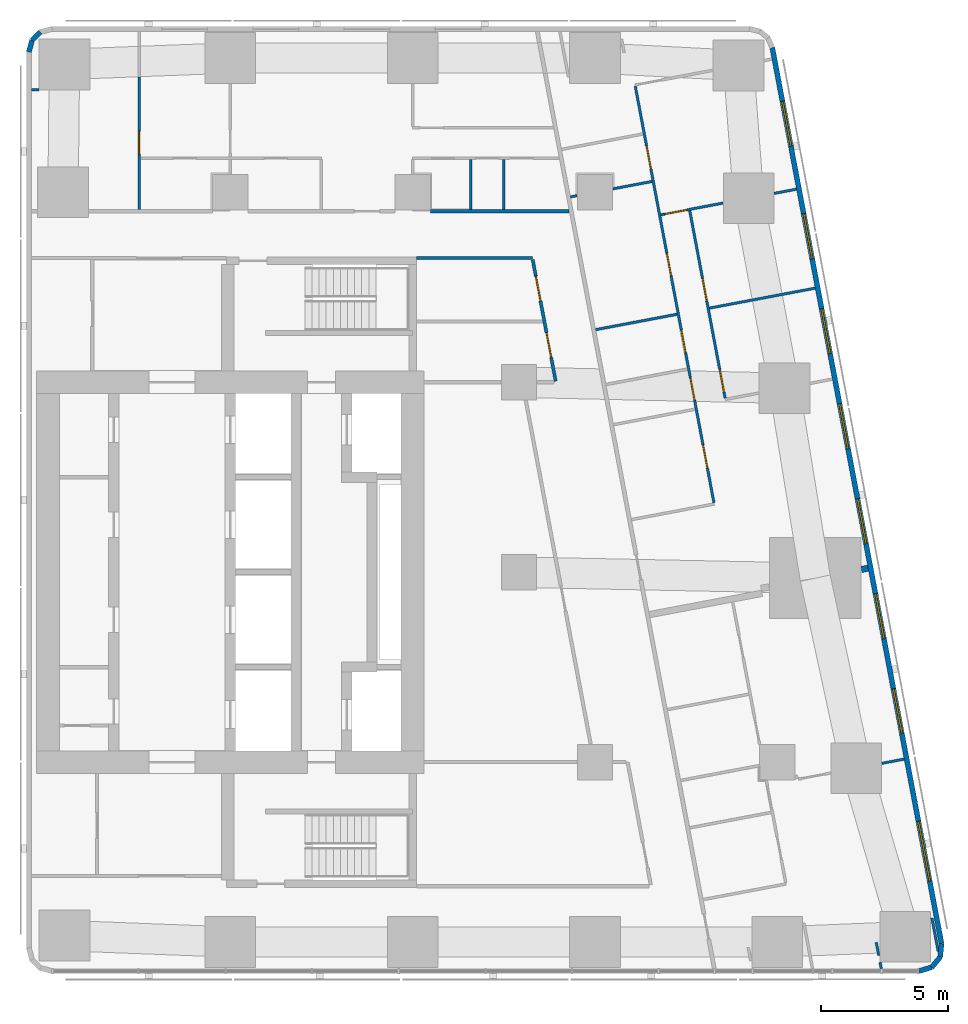
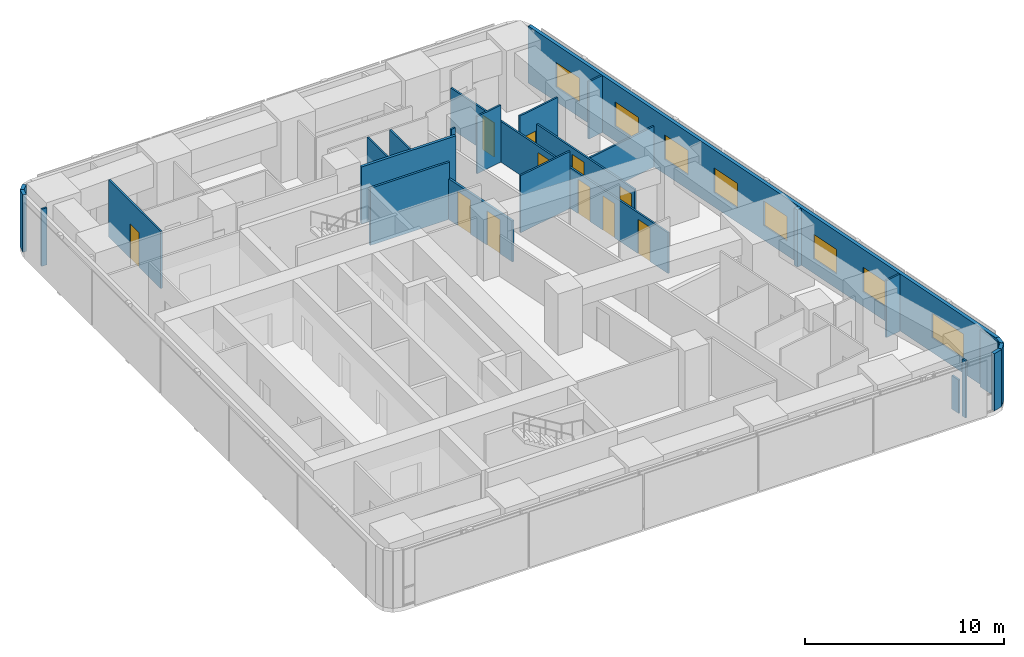
# One storey, part 7 of 10: 26 walls, 11 doors, 8 windows, 19 openings.
"""IFC4 building model written with IfcOpenShell, lengths in metres."""

from ifc_helpers import new_model, si_unit, direction, frame, frame_2d, origin, place, context, subcontext, project, spatial, rectangle, extrude, material, layer, layer_set, type_object, element, fill, save


model = new_model("IFC4")

# Units and contexts
model_context = context("Model", 3, precision=1e-05, world=origin(), true_north=direction((0.0, 1.0)))
body_context = subcontext(model_context, "Body", "Model", "MODEL_VIEW")
ifc_project = project(units=[si_unit("LENGTHUNIT", "METRE"), si_unit("AREAUNIT", "SQUARE_METRE"), si_unit("VOLUMEUNIT", "CUBIC_METRE"), si_unit("PLANEANGLEUNIT", "RADIAN"), si_unit("MASSUNIT", "GRAM", prefix="KILO")], contexts=[model_context])

# Site, building, storey
site_placement = place(None, origin())
site = spatial("IfcSite", under=ifc_project, at=site_placement, CompositionType="ELEMENT")
building_placement = place(site_placement, origin())
building = spatial("IfcBuilding", under=site, at=building_placement, Name="Sheger Commons Tower", CompositionType="ELEMENT")
storey_placement = place(building_placement, frame((0.0, 0.0, 285.35009765625)))
storey = spatial("IfcBuildingStorey", under=building, at=storey_placement, Name="L73", CompositionType="ELEMENT", Elevation=285.35009765625)

# Walls
ifc_material_1 = material(Name="Hollow concrete block masonry, skimmed both sides", Category="masonry")
ifc_layer_1 = layer(ifc_material_1, 0.14990234375)
ifc_layer_set_1 = layer_set([ifc_layer_1], Name="CORRIDOR WALL 150")
wall_type_1 = type_object("IfcWallType", Name="CORRIDOR WALL 150", PredefinedType="SOLIDWALL", material=ifc_layer_set_1)
wall_1_placement = place(storey_placement, frame((29.5009765625, 36.75, 0.0), z_axis=(0.0, 0.0, 1.0), x_axis=(1.0, 0.0, 0.0)))
element("IfcWall", 1, at=wall_1_placement, inside=storey, type_object=wall_type_1, Name="Corridor wall L73", PredefinedType="SOLIDWALL", context=body_context, shape_type="SweptSolid", body=[
    extrude(rectangle(XDim=5.470947265625, YDim=0.14990234375, at=frame_2d((2.7353515625, 0.0))), origin(), (0.0, 0.0, 1.0), 3.5),
])
ifc_material_2 = material(Name="Dense concrete block masonry, plastered both sides (separating wall between flats)", Category="masonry")
ifc_layer_2 = layer(ifc_material_2, 0.25)
ifc_layer_set_2 = layer_set([ifc_layer_2], Name="DEMISING WALL 250")
wall_type_2 = type_object("IfcWallType", Name="DEMISING WALL 250", PredefinedType="SOLIDWALL", material=ifc_layer_set_2)
wall_2_placement = place(storey_placement, frame((46.781982421875, 22.656982421875, 0.0), z_axis=(0.0, 0.0, 1.0), x_axis=(-0.982104607121, -0.188336243648, 0.0)))
element("IfcWall", 2, at=wall_2_placement, inside=storey, type_object=wall_type_2, Name="Demising wall L73", PredefinedType="SOLIDWALL", context=body_context, shape_type="SweptSolid", body=[
    extrude(rectangle(XDim=0.265625, YDim=0.25, at=frame_2d((0.1328125, 0.0))), origin(), (0.0, 0.0, 1.0), 3.5),
])
ifc_material_3 = material(Name="Rendered concrete block masonry, dark grey", Category="masonry")
ifc_layer_3 = layer(ifc_material_3, 0.199951171875)
ifc_layer_set_3 = layer_set([ifc_layer_3], Name="FACADE WALL 200")
wall_type_3 = type_object("IfcWallType", Name="FACADE WALL 200", PredefinedType="SOLIDWALL", material=ifc_layer_set_3)
wall_3_placement = place(storey_placement, frame((48.787109375, 6.75, 0.0), z_axis=(0.0, 0.0, 1.0), x_axis=(0.957282247819, 0.289155145225, 0.0)))
element("IfcWall", 3, at=wall_3_placement, inside=storey, type_object=wall_type_3, Name="Facade wall L73", PredefinedType="SOLIDWALL", context=body_context, shape_type="SweptSolid", body=[
    extrude(rectangle(XDim=0.53271484375, YDim=0.199951171875, at=frame_2d((0.266357421875, 0.0))), origin(), (0.0, 0.0, 1.0), 3.5),
])
wall_4_placement = place(storey_placement, frame((49.297119140625, 6.904052734375, 0.0), z_axis=(0.0, 0.0, 1.0), x_axis=(0.639255849474, 0.768994121508, 0.0)))
element("IfcWall", 4, at=wall_4_placement, inside=storey, type_object=wall_type_3, Name="Facade wall L73", PredefinedType="SOLIDWALL", context=body_context, shape_type="SweptSolid", body=[
    extrude(rectangle(XDim=0.517578125, YDim=0.199951171875, at=frame_2d((0.2587890625, 0.0))), origin(), (0.0, 0.0, 1.0), 3.5),
])
wall_5_placement = place(storey_placement, frame((49.6279296875, 7.302001953125, 0.0), z_axis=(0.0, 0.0, 1.0), x_axis=(0.105352390132, 0.994434952068, 0.0)))
element("IfcWall", 5, at=wall_5_placement, inside=storey, type_object=wall_type_3, Name="Facade wall L73", PredefinedType="SOLIDWALL", context=body_context, shape_type="SweptSolid", body=[
    extrude(rectangle(XDim=0.532958984375, YDim=0.199951171875, at=frame_2d((0.2666015625, 0.0))), origin(), (0.0, 0.0, 1.0), 3.5),
])

# Wall, openings, windows
wall_6_placement = place(storey_placement, frame((49.68408203125, 7.83203125, 0.0), z_axis=(0.0, 0.0, 1.0), x_axis=(-0.185616669694, 0.982622232565, 0.0)))
wall_6 = element("IfcWall", 6, at=wall_6_placement, inside=storey, type_object=wall_type_3, Name="Facade wall L73", PredefinedType="SOLIDWALL", context=body_context, shape_type="SweptSolid", body=[
    extrude(rectangle(XDim=35.99951171875, YDim=0.199951171875, at=frame_2d((17.999755859375, 0.0))), origin(), (0.0, 0.0, 1.0), 3.5),
])
opening_1_placement = place(wall_6_placement, frame((2.51806640625, 0.0, 0.89990234375)))
opening_1 = element("IfcOpeningElement", 7, at=opening_1_placement, cuts=wall_6, Name="Opening W1", PredefinedType="OPENING", context=body_context, shape_type="SweptSolid", body=[
    extrude(rectangle(XDim=2.39990234375, YDim=1.5, at=frame_2d((1.199951171875, 0.75))), frame((0.0, 0.10986328125, 0.0), z_axis=(0.0, -1.0, 0.0), x_axis=(1.0, 0.0, 0.0)), (0.0, 0.0, 1.0), 0.219970703125),
])
opening_2_placement = place(wall_6_placement, frame((8.444091796875, 0.0, 0.89990234375)))
opening_2 = element("IfcOpeningElement", 8, at=opening_2_placement, cuts=wall_6, Name="Opening W2", PredefinedType="OPENING", context=body_context, shape_type="SweptSolid", body=[
    extrude(rectangle(XDim=1.800048828125, YDim=1.5, at=frame_2d((0.89990234375, 0.75))), frame((0.0, 0.10986328125, 0.0), z_axis=(0.0, -1.0, 0.0), x_axis=(1.0, 0.0, 0.0)), (0.0, 0.0, 1.0), 0.219970703125),
])
opening_3_placement = place(wall_6_placement, frame((12.260986328125, 0.0, 0.89990234375)))
opening_3 = element("IfcOpeningElement", 9, at=opening_3_placement, cuts=wall_6, Name="Opening W2", PredefinedType="OPENING", context=body_context, shape_type="SweptSolid", body=[
    extrude(rectangle(XDim=1.800048828125, YDim=1.5, at=frame_2d((0.89990234375, 0.75))), frame((0.0, 0.10986328125, 0.0), z_axis=(0.0, -1.0, 0.0), x_axis=(1.0, 0.0, 0.0)), (0.0, 0.0, 1.0), 0.219970703125),
])
opening_4_placement = place(wall_6_placement, frame((16.077880859375, 0.0, 0.89990234375)))
opening_4 = element("IfcOpeningElement", 10, at=opening_4_placement, cuts=wall_6, Name="Opening W2", PredefinedType="OPENING", context=body_context, shape_type="SweptSolid", body=[
    extrude(rectangle(XDim=1.800048828125, YDim=1.5, at=frame_2d((0.89990234375, 0.75))), frame((0.0, 0.10986328125, 0.0), z_axis=(0.0, -1.0, 0.0), x_axis=(1.0, 0.0, 0.0)), (0.0, 0.0, 1.0), 0.219970703125),
])
opening_5_placement = place(wall_6_placement, frame((19.89404296875, 0.0, 0.89990234375)))
opening_5 = element("IfcOpeningElement", 11, at=opening_5_placement, cuts=wall_6, Name="Opening W2", PredefinedType="OPENING", context=body_context, shape_type="SweptSolid", body=[
    extrude(rectangle(XDim=1.800048828125, YDim=1.5, at=frame_2d((0.89990234375, 0.75))), frame((0.0, 0.10986328125, 0.0), z_axis=(0.0, -1.0, 0.0), x_axis=(1.0, 0.0, 0.0)), (0.0, 0.0, 1.0), 0.219970703125),
])
opening_6_placement = place(wall_6_placement, frame((23.7099609375, 0.0, 0.89990234375)))
opening_6 = element("IfcOpeningElement", 12, at=opening_6_placement, cuts=wall_6, Name="Opening W2", PredefinedType="OPENING", context=body_context, shape_type="SweptSolid", body=[
    extrude(rectangle(XDim=1.800048828125, YDim=1.5, at=frame_2d((0.89990234375, 0.75))), frame((0.0, 0.10986328125, 0.0), z_axis=(0.0, -1.0, 0.0), x_axis=(1.0, 0.0, 0.0)), (0.0, 0.0, 1.0), 0.219970703125),
])
opening_7_placement = place(wall_6_placement, frame((27.52587890625, 0.0, 0.89990234375)))
opening_7 = element("IfcOpeningElement", 13, at=opening_7_placement, cuts=wall_6, Name="Opening W2", PredefinedType="OPENING", context=body_context, shape_type="SweptSolid", body=[
    extrude(rectangle(XDim=1.800048828125, YDim=1.5, at=frame_2d((0.89990234375, 0.75))), frame((0.0, 0.10986328125, 0.0), z_axis=(0.0, -1.0, 0.0), x_axis=(1.0, 0.0, 0.0)), (0.0, 0.0, 1.0), 0.219970703125),
])
opening_8_placement = place(wall_6_placement, frame((32.0458984375, 0.0, 0.89990234375)))
opening_8 = element("IfcOpeningElement", 14, at=opening_8_placement, cuts=wall_6, Name="Opening W2", PredefinedType="OPENING", context=body_context, shape_type="SweptSolid", body=[
    extrude(rectangle(XDim=1.800048828125, YDim=1.5, at=frame_2d((0.89990234375, 0.75))), frame((0.0, 0.10986328125, 0.0), z_axis=(0.0, -1.0, 0.0), x_axis=(1.0, 0.0, 0.0)), (0.0, 0.0, 1.0), 0.219970703125),
])
ifc_material_4 = material(Name="Black aluminium frame, dark tinted double glazing", Category="aluminium")
window_type_1 = type_object("IfcWindowType", Name="WINDOW W1 2400x1500", PartitioningType="SINGLE_PANEL", PredefinedType="WINDOW", material=ifc_material_4)
window_1_placement = place(opening_1_placement, origin())
window_1 = element("IfcWindow", 15, at=window_1_placement, inside=storey, type_object=window_type_1, Name="Window W1 2400X1500", OverallHeight=1.5, OverallWidth=2.39990234375, PartitioningType="SINGLE_PANEL", PredefinedType="WINDOW", context=body_context, shape_type="SweptSolid", body=[
    extrude(rectangle(XDim=2.39990234375, YDim=1.5, at=frame_2d((1.199951171875, 0.75))), frame((0.0, 0.030029296875, 0.0), z_axis=(0.0, -1.0, 0.0), x_axis=(1.0, 0.0, 0.0)), (0.0, 0.0, 1.0), 0.06005859375),
])
fill(opening_1, window_1)
ifc_material_5 = material(Name="Black aluminium frame, dark tinted double glazing", Category="aluminium")
window_type_2 = type_object("IfcWindowType", Name="WINDOW W2 1800x1500", PartitioningType="SINGLE_PANEL", PredefinedType="WINDOW", material=ifc_material_5)
window_2_placement = place(opening_2_placement, origin())
window_2 = element("IfcWindow", 16, at=window_2_placement, inside=storey, type_object=window_type_2, Name="Window W2 1800X1500", OverallHeight=1.5, OverallWidth=1.800048828125, PartitioningType="SINGLE_PANEL", PredefinedType="WINDOW", context=body_context, shape_type="SweptSolid", body=[
    extrude(rectangle(XDim=1.800048828125, YDim=1.5, at=frame_2d((0.89990234375, 0.75))), frame((0.0, 0.030029296875, 0.0), z_axis=(0.0, -1.0, 0.0), x_axis=(1.0, 0.0, 0.0)), (0.0, 0.0, 1.0), 0.06005859375),
])
fill(opening_2, window_2)
window_3_placement = place(opening_3_placement, origin())
window_3 = element("IfcWindow", 17, at=window_3_placement, inside=storey, type_object=window_type_2, Name="Window W2 1800X1500", OverallHeight=1.5, OverallWidth=1.800048828125, PartitioningType="SINGLE_PANEL", PredefinedType="WINDOW", context=body_context, shape_type="SweptSolid", body=[
    extrude(rectangle(XDim=1.800048828125, YDim=1.5, at=frame_2d((0.89990234375, 0.75))), frame((0.0, 0.030029296875, 0.0), z_axis=(0.0, -1.0, 0.0), x_axis=(1.0, 0.0, 0.0)), (0.0, 0.0, 1.0), 0.06005859375),
])
fill(opening_3, window_3)
window_4_placement = place(opening_4_placement, origin())
window_4 = element("IfcWindow", 18, at=window_4_placement, inside=storey, type_object=window_type_2, Name="Window W2 1800X1500", OverallHeight=1.5, OverallWidth=1.800048828125, PartitioningType="SINGLE_PANEL", PredefinedType="WINDOW", context=body_context, shape_type="SweptSolid", body=[
    extrude(rectangle(XDim=1.800048828125, YDim=1.5, at=frame_2d((0.89990234375, 0.75))), frame((0.0, 0.030029296875, 0.0), z_axis=(0.0, -1.0, 0.0), x_axis=(1.0, 0.0, 0.0)), (0.0, 0.0, 1.0), 0.06005859375),
])
fill(opening_4, window_4)
window_5_placement = place(opening_5_placement, origin())
window_5 = element("IfcWindow", 19, at=window_5_placement, inside=storey, type_object=window_type_2, Name="Window W2 1800X1500", OverallHeight=1.5, OverallWidth=1.800048828125, PartitioningType="SINGLE_PANEL", PredefinedType="WINDOW", context=body_context, shape_type="SweptSolid", body=[
    extrude(rectangle(XDim=1.800048828125, YDim=1.5, at=frame_2d((0.89990234375, 0.75))), frame((0.0, 0.030029296875, 0.0), z_axis=(0.0, -1.0, 0.0), x_axis=(1.0, 0.0, 0.0)), (0.0, 0.0, 1.0), 0.06005859375),
])
fill(opening_5, window_5)
window_6_placement = place(opening_6_placement, origin())
window_6 = element("IfcWindow", 20, at=window_6_placement, inside=storey, type_object=window_type_2, Name="Window W2 1800X1500", OverallHeight=1.5, OverallWidth=1.800048828125, PartitioningType="SINGLE_PANEL", PredefinedType="WINDOW", context=body_context, shape_type="SweptSolid", body=[
    extrude(rectangle(XDim=1.800048828125, YDim=1.5, at=frame_2d((0.89990234375, 0.75))), frame((0.0, 0.030029296875, 0.0), z_axis=(0.0, -1.0, 0.0), x_axis=(1.0, 0.0, 0.0)), (0.0, 0.0, 1.0), 0.06005859375),
])
fill(opening_6, window_6)
window_7_placement = place(opening_7_placement, origin())
window_7 = element("IfcWindow", 21, at=window_7_placement, inside=storey, type_object=window_type_2, Name="Window W2 1800X1500", OverallHeight=1.5, OverallWidth=1.800048828125, PartitioningType="SINGLE_PANEL", PredefinedType="WINDOW", context=body_context, shape_type="SweptSolid", body=[
    extrude(rectangle(XDim=1.800048828125, YDim=1.5, at=frame_2d((0.89990234375, 0.75))), frame((0.0, 0.030029296875, 0.0), z_axis=(0.0, -1.0, 0.0), x_axis=(1.0, 0.0, 0.0)), (0.0, 0.0, 1.0), 0.06005859375),
])
fill(opening_7, window_7)
window_8_placement = place(opening_8_placement, origin())
window_8 = element("IfcWindow", 22, at=window_8_placement, inside=storey, type_object=window_type_2, Name="Window W2 1800X1500", OverallHeight=1.5, OverallWidth=1.800048828125, PartitioningType="SINGLE_PANEL", PredefinedType="WINDOW", context=body_context, shape_type="SweptSolid", body=[
    extrude(rectangle(XDim=1.800048828125, YDim=1.5, at=frame_2d((0.89990234375, 0.75))), frame((0.0, 0.030029296875, 0.0), z_axis=(0.0, -1.0, 0.0), x_axis=(1.0, 0.0, 0.0)), (0.0, 0.0, 1.0), 0.06005859375),
])
fill(opening_8, window_8)

# Walls
wall_7_placement = place(storey_placement, frame((14.10205078125, 43.825927734375, 0.0), z_axis=(0.0, 0.0, 1.0), x_axis=(-0.707369890659, -0.706843573776, 0.0)))
element("IfcWall", 23, at=wall_7_placement, inside=storey, type_object=wall_type_3, Name="Facade wall L73", PredefinedType="SOLIDWALL", context=body_context, shape_type="SweptSolid", body=[
    extrude(rectangle(XDim=0.4638671875, YDim=0.199951171875, at=frame_2d((0.23193359375, 0.0))), origin(), (0.0, 0.0, 1.0), 3.5),
])
wall_8_placement = place(storey_placement, frame((13.77392578125, 43.498046875, 0.0), z_axis=(0.0, 0.0, 1.0), x_axis=(-0.259826731483, -0.965655254015, 0.0)))
element("IfcWall", 24, at=wall_8_placement, inside=storey, type_object=wall_type_3, Name="Facade wall L73", PredefinedType="SOLIDWALL", context=body_context, shape_type="SweptSolid", body=[
    extrude(rectangle(XDim=0.477294921875, YDim=0.199951171875, at=frame_2d((0.23876953125, 0.0))), origin(), (0.0, 0.0, 1.0), 3.5),
])
ifc_material_6 = material(Name="Gypsum board on steel studs", Category="steel")
ifc_layer_4 = layer(ifc_material_6, 0.10009765625)
ifc_layer_set_4 = layer_set([ifc_layer_4], Name="PARTITION 100")
wall_type_4 = type_object("IfcWallType", Name="PARTITION 100", PredefinedType="PARTITIONING", material=ifc_layer_set_4)
wall_9_placement = place(storey_placement, frame((49.300048828125, 8.85107421875, 0.0), z_axis=(0.0, 0.0, 1.0), x_axis=(0.18581620423, -0.982584519645, 0.0)))
element("IfcWall", 25, at=wall_9_placement, inside=storey, type_object=wall_type_4, Name="Partition L73", PredefinedType="PARTITIONING", context=body_context, shape_type="SweptSolid", body=[
    extrude(rectangle(XDim=1.3505859375, YDim=0.10009765625, at=frame_2d((0.67529296875, 0.0))), origin(), (0.0, 0.0, 1.0), 3.5),
])
wall_10_placement = place(storey_placement, frame((47.301025390625, 6.85009765625, 0.0), z_axis=(0.0, 0.0, 1.0), x_axis=(-0.187513903188, 0.982261948826, 0.0)))
element("IfcWall", 26, at=wall_10_placement, inside=storey, type_object=wall_type_4, Name="Partition L73", PredefinedType="PARTITIONING", context=body_context, shape_type="SweptSolid", body=[
    extrude(rectangle(XDim=0.251220703125, YDim=0.10009765625, at=frame_2d((0.12548828125, 0.0))), origin(), (0.0, 0.0, 1.0), 3.5),
])
wall_11_placement = place(storey_placement, frame((47.202880859375, 7.368896484375, 0.0), z_axis=(0.0, 0.0, 1.0), x_axis=(-0.186456243114, 0.982463266185, 0.0)))
element("IfcWall", 27, at=wall_11_placement, inside=storey, type_object=wall_type_4, Name="Partition L73", PredefinedType="PARTITIONING", context=body_context, shape_type="SweptSolid", body=[
    extrude(rectangle(XDim=0.5302734375, YDim=0.10009765625, at=frame_2d((0.26513671875, 0.0))), origin(), (0.0, 0.0, 1.0), 2.0498046875),
])
wall_12_placement = place(storey_placement, frame((43.955078125, 37.6201171875, 0.0), z_axis=(0.0, 0.0, 1.0), x_axis=(-0.982708424405, -0.18515980288, 0.0)))
element("IfcWall", 28, at=wall_12_placement, inside=storey, type_object=wall_type_4, Name="Partition L73", PredefinedType="PARTITIONING", context=body_context, shape_type="SweptSolid", body=[
    extrude(rectangle(XDim=0.896728515625, YDim=0.10009765625, at=frame_2d((0.4482421875, 0.0))), origin(), (0.0, 0.0, 1.0), 3.5),
])

# Wall, opening, door
wall_13_placement = place(storey_placement, frame((41.053955078125, 37.072021484375, 0.0), z_axis=(0.0, 0.0, 1.0), x_axis=(-0.982579896219, -0.185840650951, 0.0)))
wall_13 = element("IfcWall", 29, at=wall_13_placement, inside=storey, type_object=wall_type_4, Name="Partition L73", PredefinedType="PARTITIONING", context=body_context, shape_type="SweptSolid", body=[
    extrude(rectangle(XDim=2.497314453125, YDim=0.10009765625, at=frame_2d((1.24853515625, 0.0))), origin(), (0.0, 0.0, 1.0), 3.5),
])
opening_9_placement = place(wall_13_placement, frame((1.447021484375, 0.0, 0.0)))
opening_9 = element("IfcOpeningElement", 30, at=opening_9_placement, cuts=wall_13, Name="Opening D2", PredefinedType="OPENING", context=body_context, shape_type="SweptSolid", body=[
    extrude(rectangle(XDim=0.89990234375, YDim=2.10009765625, at=frame_2d((0.449951171875, 1.050048828125))), frame((0.0, 0.06005859375, 0.0), z_axis=(0.0, -1.0, 0.0), x_axis=(1.0, 0.0, 0.0)), (0.0, 0.0, 1.0), 0.1201171875),
])
ifc_material_7 = material(Name="Timber door set", Category="wood")
door_type_1 = type_object("IfcDoorType", Name="INTERNAL DOOR 900x2100", OperationType="NOTDEFINED", PredefinedType="DOOR", material=ifc_material_7)
door_1_placement = place(opening_9_placement, origin())
door_1 = element("IfcDoor", 31, at=door_1_placement, inside=storey, type_object=door_type_1, Name="Main bedroom door", OperationType="SINGLE_SWING_LEFT", OverallHeight=2.10009765625, OverallWidth=0.89990234375, PredefinedType="DOOR", context=body_context, shape_type="SweptSolid", body=[
    extrude(rectangle(XDim=0.89990234375, YDim=2.10009765625, at=frame_2d((0.449951171875, 1.050048828125))), frame((0.0, 0.02490234375, 0.0), z_axis=(0.0, -1.0, 0.0), x_axis=(1.0, 0.0, 0.0)), (0.0, 0.0, 1.0), 0.050048828125),
])
fill(opening_9, door_1)

# Walls
wall_14_placement = place(storey_placement, frame((44.693115234375, 33.712890625, 0.0), z_axis=(0.0, 0.0, 1.0), x_axis=(-0.982623519589, -0.185609856287, 0.0)))
element("IfcWall", 32, at=wall_14_placement, inside=storey, type_object=wall_type_4, Name="Partition L73", PredefinedType="PARTITIONING", context=body_context, shape_type="SweptSolid", body=[
    extrude(rectangle(XDim=4.249755859375, YDim=0.10009765625, at=frame_2d((2.125, 0.0))), origin(), (0.0, 0.0, 1.0), 2.5),
])
wall_15_placement = place(storey_placement, frame((38.25, 37.925048828125, 0.0), z_axis=(0.0, 0.0, 1.0), x_axis=(-0.982610209589, -0.185680305934, 0.0)))
element("IfcWall", 33, at=wall_15_placement, inside=storey, type_object=wall_type_4, Name="Partition L73", PredefinedType="PARTITIONING", context=body_context, shape_type="SweptSolid", body=[
    extrude(rectangle(XDim=1.5673828125, YDim=0.10009765625, at=frame_2d((0.78369140625, 0.0))), origin(), (0.0, 0.0, 1.0), 3.5),
])
wall_16_placement = place(storey_placement, frame((35.2900390625, 37.365966796875, 0.0), z_axis=(0.0, 0.0, 1.0), x_axis=(-0.982395465615, -0.18681313963, 0.0)))
element("IfcWall", 34, at=wall_16_placement, inside=storey, type_object=wall_type_4, Name="Partition L73", PredefinedType="PARTITIONING", context=body_context, shape_type="SweptSolid", body=[
    extrude(rectangle(XDim=0.2626953125, YDim=0.10009765625, at=frame_2d((0.13134765625, 0.0))), origin(), (0.0, 0.0, 1.0), 3.5),
])
wall_17_placement = place(storey_placement, frame((39.239990234375, 32.68310546875, 0.0), z_axis=(0.0, 0.0, 1.0), x_axis=(-0.982607026909, -0.185697147715, 0.0)))
element("IfcWall", 35, at=wall_17_placement, inside=storey, type_object=wall_type_4, Name="Partition L73", PredefinedType="PARTITIONING", context=body_context, shape_type="SweptSolid", body=[
    extrude(rectangle(XDim=3.27490234375, YDim=0.10009765625, at=frame_2d((1.637451171875, 0.0))), origin(), (0.0, 0.0, 1.0), 3.5),
])

# Wall, openings, doors
wall_18_placement = place(storey_placement, frame((37.591064453125, 41.68505859375, 0.0), z_axis=(0.0, 0.0, 1.0), x_axis=(0.185541820726, -0.982636368532, 0.0)))
wall_18 = element("IfcWall", 36, at=wall_18_placement, inside=storey, type_object=wall_type_4, Name="Partition L73", PredefinedType="PARTITIONING", context=body_context, shape_type="SweptSolid", body=[
    extrude(rectangle(XDim=16.734619140625, YDim=0.10009765625, at=frame_2d((8.3671875, 0.0))), origin(), (0.0, 0.0, 1.0), 2.5),
])
opening_10_placement = place(wall_18_placement, frame((2.4130859375, 0.0, 0.0)))
opening_10 = element("IfcOpeningElement", 37, at=opening_10_placement, cuts=wall_18, Name="Opening D2", PredefinedType="OPENING", context=body_context, shape_type="SweptSolid", body=[
    extrude(rectangle(XDim=0.89990234375, YDim=2.10009765625, at=frame_2d((0.449951171875, 1.050048828125))), frame((0.0, 0.06005859375, 0.0), z_axis=(0.0, -1.0, 0.0), x_axis=(1.0, 0.0, 0.0)), (0.0, 0.0, 1.0), 0.1201171875),
])
opening_11_placement = place(wall_18_placement, frame((6.712890625, 0.0, 0.0)))
opening_11 = element("IfcOpeningElement", 38, at=opening_11_placement, cuts=wall_18, Name="Opening D2", PredefinedType="OPENING", context=body_context, shape_type="SweptSolid", body=[
    extrude(rectangle(XDim=0.89990234375, YDim=2.10009765625, at=frame_2d((0.449951171875, 1.050048828125))), frame((0.0, 0.06005859375, 0.0), z_axis=(0.0, -1.0, 0.0), x_axis=(1.0, 0.0, 0.0)), (0.0, 0.0, 1.0), 0.1201171875),
])
opening_12_placement = place(wall_18_placement, frame((9.804931640625, 0.0, 0.0)))
opening_12 = element("IfcOpeningElement", 39, at=opening_12_placement, cuts=wall_18, Name="Opening D2", PredefinedType="OPENING", context=body_context, shape_type="SweptSolid", body=[
    extrude(rectangle(XDim=0.89990234375, YDim=2.10009765625, at=frame_2d((0.449951171875, 1.050048828125))), frame((0.0, 0.06005859375, 0.0), z_axis=(0.0, -1.0, 0.0), x_axis=(1.0, 0.0, 0.0)), (0.0, 0.0, 1.0), 0.1201171875),
])
opening_13_placement = place(wall_18_placement, frame((11.712890625, 0.0, 0.0)))
opening_13 = element("IfcOpeningElement", 40, at=opening_13_placement, cuts=wall_18, Name="Opening D2", PredefinedType="OPENING", context=body_context, shape_type="SweptSolid", body=[
    extrude(rectangle(XDim=0.89990234375, YDim=2.10009765625, at=frame_2d((0.449951171875, 1.050048828125))), frame((0.0, 0.06005859375, 0.0), z_axis=(0.0, -1.0, 0.0), x_axis=(1.0, 0.0, 0.0)), (0.0, 0.0, 1.0), 0.1201171875),
])
opening_14_placement = place(wall_18_placement, frame((14.426025390625, 0.0, 0.0)))
opening_14 = element("IfcOpeningElement", 41, at=opening_14_placement, cuts=wall_18, Name="Opening D2", PredefinedType="OPENING", context=body_context, shape_type="SweptSolid", body=[
    extrude(rectangle(XDim=0.89990234375, YDim=2.10009765625, at=frame_2d((0.449951171875, 1.050048828125))), frame((0.0, 0.06005859375, 0.0), z_axis=(0.0, -1.0, 0.0), x_axis=(1.0, 0.0, 0.0)), (0.0, 0.0, 1.0), 0.1201171875),
])
door_2_placement = place(opening_10_placement, origin())
door_2 = element("IfcDoor", 42, at=door_2_placement, inside=storey, type_object=door_type_1, Name="En-suite door", OperationType="SINGLE_SWING_LEFT", OverallHeight=2.10009765625, OverallWidth=0.89990234375, PredefinedType="DOOR", context=body_context, shape_type="SweptSolid", body=[
    extrude(rectangle(XDim=0.89990234375, YDim=2.10009765625, at=frame_2d((0.449951171875, 1.050048828125))), frame((0.0, 0.02490234375, 0.0), z_axis=(0.0, -1.0, 0.0), x_axis=(1.0, 0.0, 0.0)), (0.0, 0.0, 1.0), 0.050048828125),
])
fill(opening_10, door_2)
door_3_placement = place(opening_11_placement, origin())
door_3 = element("IfcDoor", 43, at=door_3_placement, inside=storey, type_object=door_type_1, Name="Study door", OperationType="SINGLE_SWING_LEFT", OverallHeight=2.10009765625, OverallWidth=0.89990234375, PredefinedType="DOOR", context=body_context, shape_type="SweptSolid", body=[
    extrude(rectangle(XDim=0.89990234375, YDim=2.10009765625, at=frame_2d((0.449951171875, 1.050048828125))), frame((0.0, 0.02490234375, 0.0), z_axis=(0.0, -1.0, 0.0), x_axis=(1.0, 0.0, 0.0)), (0.0, 0.0, 1.0), 0.050048828125),
])
fill(opening_11, door_3)
door_4_placement = place(opening_12_placement, origin())
door_4 = element("IfcDoor", 44, at=door_4_placement, inside=storey, type_object=door_type_1, Name="Bathroom door", OperationType="SINGLE_SWING_LEFT", OverallHeight=2.10009765625, OverallWidth=0.89990234375, PredefinedType="DOOR", context=body_context, shape_type="SweptSolid", body=[
    extrude(rectangle(XDim=0.89990234375, YDim=2.10009765625, at=frame_2d((0.449951171875, 1.050048828125))), frame((0.0, 0.02490234375, 0.0), z_axis=(0.0, -1.0, 0.0), x_axis=(1.0, 0.0, 0.0)), (0.0, 0.0, 1.0), 0.050048828125),
])
fill(opening_12, door_4)
door_5_placement = place(opening_13_placement, origin())
door_5 = element("IfcDoor", 45, at=door_5_placement, inside=storey, type_object=door_type_1, Name="Store door", OperationType="SINGLE_SWING_RIGHT", OverallHeight=2.10009765625, OverallWidth=0.89990234375, PredefinedType="DOOR", context=body_context, shape_type="SweptSolid", body=[
    extrude(rectangle(XDim=0.89990234375, YDim=2.10009765625, at=frame_2d((0.449951171875, 1.050048828125))), frame((0.0, 0.02490234375, 0.0), z_axis=(0.0, -1.0, 0.0), x_axis=(1.0, 0.0, 0.0)), (0.0, 0.0, 1.0), 0.050048828125),
])
fill(opening_13, door_5)
door_6_placement = place(opening_14_placement, origin())
door_6 = element("IfcDoor", 46, at=door_6_placement, inside=storey, type_object=door_type_1, Name="Kitchen door", OperationType="SINGLE_SWING_LEFT", OverallHeight=2.10009765625, OverallWidth=0.89990234375, PredefinedType="DOOR", context=body_context, shape_type="SweptSolid", body=[
    extrude(rectangle(XDim=0.89990234375, YDim=2.10009765625, at=frame_2d((0.449951171875, 1.050048828125))), frame((0.0, 0.02490234375, 0.0), z_axis=(0.0, -1.0, 0.0), x_axis=(1.0, 0.0, 0.0)), (0.0, 0.0, 1.0), 0.050048828125),
])
fill(opening_14, door_6)

wall_19_placement = place(storey_placement, frame((39.739990234375, 36.77294921875, 0.0), z_axis=(0.0, 0.0, 1.0), x_axis=(0.185583825641, -0.982628436216, 0.0)))
wall_19 = element("IfcWall", 47, at=wall_19_placement, inside=storey, type_object=wall_type_4, Name="Partition L73", PredefinedType="PARTITIONING", context=body_context, shape_type="SweptSolid", body=[
    extrude(rectangle(XDim=7.53271484375, YDim=0.10009765625, at=frame_2d((3.766357421875, 0.0))), origin(), (0.0, 0.0, 1.0), 2.5),
])
opening_15_placement = place(wall_19_placement, frame((2.72607421875, 0.0, 0.0)))
opening_15 = element("IfcOpeningElement", 48, at=opening_15_placement, cuts=wall_19, Name="Opening D2", PredefinedType="OPENING", context=body_context, shape_type="SweptSolid", body=[
    extrude(rectangle(XDim=0.89990234375, YDim=2.10009765625, at=frame_2d((0.449951171875, 1.050048828125))), frame((0.0, 0.06005859375, 0.0), z_axis=(0.0, -1.0, 0.0), x_axis=(1.0, 0.0, 0.0)), (0.0, 0.0, 1.0), 0.1201171875),
])
opening_16_placement = place(wall_19_placement, frame((6.383056640625, 0.0, 0.0)))
opening_16 = element("IfcOpeningElement", 49, at=opening_16_placement, cuts=wall_19, Name="Opening D2", PredefinedType="OPENING", context=body_context, shape_type="SweptSolid", body=[
    extrude(rectangle(XDim=0.89990234375, YDim=2.10009765625, at=frame_2d((0.449951171875, 1.050048828125))), frame((0.0, 0.06005859375, 0.0), z_axis=(0.0, -1.0, 0.0), x_axis=(1.0, 0.0, 0.0)), (0.0, 0.0, 1.0), 0.1201171875),
])
door_7_placement = place(opening_15_placement, origin())
door_7 = element("IfcDoor", 50, at=door_7_placement, inside=storey, type_object=door_type_1, Name="Bedroom 2 door", OperationType="SINGLE_SWING_RIGHT", OverallHeight=2.10009765625, OverallWidth=0.89990234375, PredefinedType="DOOR", context=body_context, shape_type="SweptSolid", body=[
    extrude(rectangle(XDim=0.89990234375, YDim=2.10009765625, at=frame_2d((0.449951171875, 1.050048828125))), frame((0.0, 0.02490234375, 0.0), z_axis=(0.0, -1.0, 0.0), x_axis=(1.0, 0.0, 0.0)), (0.0, 0.0, 1.0), 0.050048828125),
])
fill(opening_15, door_7)
door_8_placement = place(opening_16_placement, origin())
door_8 = element("IfcDoor", 51, at=door_8_placement, inside=storey, type_object=door_type_1, Name="Bedroom 3 door", OperationType="SINGLE_SWING_RIGHT", OverallHeight=2.10009765625, OverallWidth=0.89990234375, PredefinedType="DOOR", context=body_context, shape_type="SweptSolid", body=[
    extrude(rectangle(XDim=0.89990234375, YDim=2.10009765625, at=frame_2d((0.449951171875, 1.050048828125))), frame((0.0, 0.02490234375, 0.0), z_axis=(0.0, -1.0, 0.0), x_axis=(1.0, 0.0, 0.0)), (0.0, 0.0, 1.0), 0.050048828125),
])
fill(opening_16, door_8)

# Walls
wall_20_placement = place(storey_placement, frame((48.2060546875, 15.1201171875, 0.0), z_axis=(0.0, 0.0, 1.0), x_axis=(-0.982497680814, -0.186274816318, 0.0)))
element("IfcWall", 52, at=wall_20_placement, inside=storey, type_object=wall_type_4, Name="Partition L73", PredefinedType="PARTITIONING", context=body_context, shape_type="SweptSolid", body=[
    extrude(rectangle(XDim=0.897705078125, YDim=0.10009765625, at=frame_2d((0.44873046875, 0.0))), origin(), (0.0, 0.0, 1.0), 3.5),
])
wall_21_placement = place(storey_placement, frame((14.053955078125, 41.5458984375, 0.0), z_axis=(0.0, 0.0, 1.0), x_axis=(-1.0, 0.0, 0.0)))
element("IfcWall", 53, at=wall_21_placement, inside=storey, type_object=wall_type_4, Name="Partition L73", PredefinedType="PARTITIONING", context=body_context, shape_type="SweptSolid", body=[
    extrude(rectangle(XDim=0.303955078125, YDim=0.10009765625, at=frame_2d((0.15185546875, 0.0))), origin(), (0.0, 0.0, 1.0), 3.5),
])

# Wall, opening, door
wall_22_placement = place(storey_placement, frame((18.0, 36.824951171875, 0.0), z_axis=(0.0, 0.0, 1.0), x_axis=(0.0, 1.0, 0.0)))
wall_22 = element("IfcWall", 54, at=wall_22_placement, inside=storey, type_object=wall_type_4, Name="Partition L73", PredefinedType="PARTITIONING", context=body_context, shape_type="SweptSolid", body=[
    extrude(rectangle(XDim=5.233154296875, YDim=0.10009765625, at=frame_2d((2.61669921875, 0.0))), origin(), (0.0, 0.0, 1.0), 3.5),
])
opening_17_placement = place(wall_22_placement, frame((2.175048828125, 0.0, 0.0)))
opening_17 = element("IfcOpeningElement", 55, at=opening_17_placement, cuts=wall_22, Name="Opening D2", PredefinedType="OPENING", context=body_context, shape_type="SweptSolid", body=[
    extrude(rectangle(XDim=0.89990234375, YDim=2.10009765625, at=frame_2d((0.449951171875, 1.050048828125))), frame((0.0, 0.06005859375, 0.0), z_axis=(0.0, -1.0, 0.0), x_axis=(1.0, 0.0, 0.0)), (0.0, 0.0, 1.0), 0.1201171875),
])
door_9_placement = place(opening_17_placement, origin())
door_9 = element("IfcDoor", 56, at=door_9_placement, inside=storey, type_object=door_type_1, Name="Dressing room door", OperationType="SINGLE_SWING_RIGHT", OverallHeight=2.10009765625, OverallWidth=0.89990234375, PredefinedType="DOOR", context=body_context, shape_type="SweptSolid", body=[
    extrude(rectangle(XDim=0.89990234375, YDim=2.10009765625, at=frame_2d((0.449951171875, 1.050048828125))), frame((0.0, 0.02490234375, 0.0), z_axis=(0.0, -1.0, 0.0), x_axis=(1.0, 0.0, 0.0)), (0.0, 0.0, 1.0), 0.050048828125),
])
fill(opening_17, door_9)

# Walls
for number, where, z_axis, x_axis, name in (
    (57, (32.39990234375, 36.824951171875, 0.0), (0.0, 0.0, 1.0), (0.0, 1.0, 0.0), "Partition L73"),
    (58, (31.10009765625, 36.824951171875, 0.0), (0.0, 0.0, 1.0), (0.0, 1.0, 0.0), "Partition L73"),
):
    element("IfcWall", number, at=place(storey_placement, frame(where, z_axis=z_axis, x_axis=x_axis)), inside=storey, type_object=wall_type_4, Name=name, PredefinedType="PARTITIONING", context=body_context, shape_type="SweptSolid", body=[
        extrude(rectangle(XDim=1.97509765625, YDim=0.10009765625, at=frame_2d((0.987548828125, 0.0))), origin(), (0.0, 0.0, 1.0), 3.5),
    ])
ifc_material_8 = material(Name="Gypsum board on steel studs, two layers each side, fire rated", Category="steel")
ifc_layer_5 = layer(ifc_material_8, 0.125)
ifc_layer_set_5 = layer_set([ifc_layer_5], Name="SERVICE WALL 125")
wall_type_5 = type_object("IfcWallType", Name="SERVICE WALL 125", PredefinedType="PARTITIONING", material=ifc_layer_set_5)
wall_23_placement = place(storey_placement, frame((28.949951171875, 34.89990234375, 0.0), z_axis=(0.0, 0.0, 1.0), x_axis=(1.0, 0.0, 0.0)))
element("IfcWall", 59, at=wall_23_placement, inside=storey, type_object=wall_type_5, Name="Service room wall L73", PredefinedType="PARTITIONING", context=body_context, shape_type="SweptSolid", body=[
    extrude(rectangle(XDim=4.588134765625, YDim=0.125, at=frame_2d((2.2939453125, 0.0))), origin(), (0.0, 0.0, 1.0), 3.5),
])

# Wall, openings, doors
wall_24_placement = place(storey_placement, frame((34.447998046875, 30.0400390625, 0.0), z_axis=(0.0, 0.0, 1.0), x_axis=(-0.185749459238, 0.982597139418, 0.0)))
wall_24 = element("IfcWall", 60, at=wall_24_placement, inside=storey, type_object=wall_type_5, Name="Service room wall L73", PredefinedType="PARTITIONING", context=body_context, shape_type="SweptSolid", body=[
    extrude(rectangle(XDim=4.8828125, YDim=0.125, at=frame_2d((2.44140625, 0.0))), origin(), (0.0, 0.0, 1.0), 2.5),
])
opening_18_placement = place(wall_24_placement, frame((0.949951171875, 0.0, 0.0)))
opening_18 = element("IfcOpeningElement", 61, at=opening_18_placement, cuts=wall_24, Name="Opening D4", PredefinedType="OPENING", context=body_context, shape_type="SweptSolid", body=[
    extrude(rectangle(XDim=1.0, YDim=2.10009765625, at=frame_2d((0.5, 1.050048828125))), frame((0.0, 0.072509765625, 0.0), z_axis=(0.0, -1.0, 0.0), x_axis=(1.0, 0.0, 0.0)), (0.0, 0.0, 1.0), 0.14501953125),
])
opening_19_placement = place(wall_24_placement, frame((3.22509765625, 0.0, 0.0)))
opening_19 = element("IfcOpeningElement", 62, at=opening_19_placement, cuts=wall_24, Name="Opening D4", PredefinedType="OPENING", context=body_context, shape_type="SweptSolid", body=[
    extrude(rectangle(XDim=1.0, YDim=2.10009765625, at=frame_2d((0.5, 1.050048828125))), frame((0.0, 0.072509765625, 0.0), z_axis=(0.0, -1.0, 0.0), x_axis=(1.0, 0.0, 0.0)), (0.0, 0.0, 1.0), 0.14501953125),
])
ifc_material_9 = material(Name="Steel door set, fire rated", Category="steel")
door_type_2 = type_object("IfcDoorType", Name="SERVICE DOOR 1000x2100", OperationType="NOTDEFINED", PredefinedType="DOOR", material=ifc_material_9)
door_10_placement = place(opening_18_placement, origin())
door_10 = element("IfcDoor", 63, at=door_10_placement, inside=storey, type_object=door_type_2, Name="Linen store door", OperationType="SINGLE_SWING_RIGHT", OverallHeight=2.10009765625, OverallWidth=1.0, PredefinedType="DOOR", context=body_context, shape_type="SweptSolid", body=[
    extrude(rectangle(XDim=1.0, YDim=2.10009765625, at=frame_2d((0.5, 1.050048828125))), frame((0.0, 0.02490234375, 0.0), z_axis=(0.0, -1.0, 0.0), x_axis=(1.0, 0.0, 0.0)), (0.0, 0.0, 1.0), 0.050048828125),
])
fill(opening_18, door_10)
door_11_placement = place(opening_19_placement, origin())
door_11 = element("IfcDoor", 64, at=door_11_placement, inside=storey, type_object=door_type_2, Name="Cleaner's store door", OperationType="SINGLE_SWING_RIGHT", OverallHeight=2.10009765625, OverallWidth=1.0, PredefinedType="DOOR", context=body_context, shape_type="SweptSolid", body=[
    extrude(rectangle(XDim=1.0, YDim=2.10009765625, at=frame_2d((0.5, 1.050048828125))), frame((0.0, 0.02490234375, 0.0), z_axis=(0.0, -1.0, 0.0), x_axis=(1.0, 0.0, 0.0)), (0.0, 0.0, 1.0), 0.050048828125),
])
fill(opening_19, door_11)

save(model, "model.ifc")
